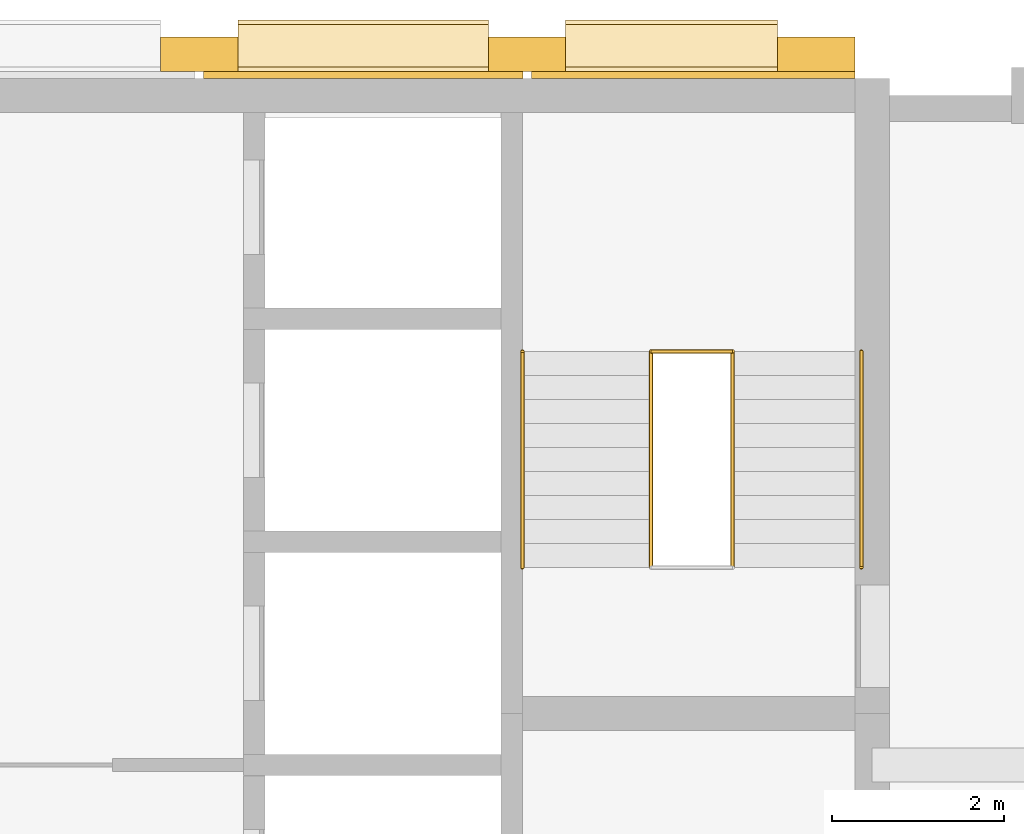
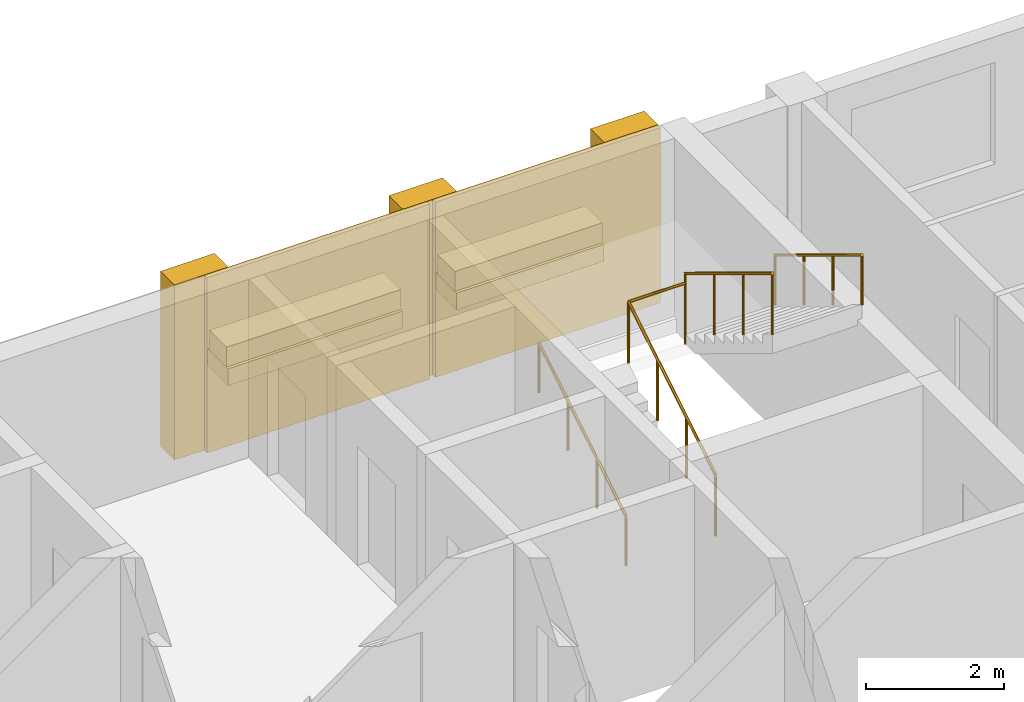
# One storey, part 12 of 13: 9 coverings, 5 railings, 1 element without a shape of its own.
"""IFC4 building model written with IfcOpenShell, lengths in metres."""

from ifc_helpers import new_model, si_unit, direction, frame, origin, origin_2d, place, context, subcontext, project, spatial, rectangle, circle, extrude, material, layer, layer_set, type_object, element, aggregate, save


model = new_model("IFC4")

# Units and contexts
model_context = context("Model", 3, precision=1e-05, world=origin(), true_north=direction((0.0, 1.0)))
body_context = subcontext(model_context, "Body", "Model", "MODEL_VIEW")
ifc_project = project(units=[si_unit("LENGTHUNIT", "METRE"), si_unit("AREAUNIT", "SQUARE_METRE"), si_unit("VOLUMEUNIT", "CUBIC_METRE"), si_unit("PLANEANGLEUNIT", "RADIAN"), si_unit("MASSUNIT", "GRAM", prefix="KILO")], contexts=[model_context])

# Site, building, storey
site_placement = place(None, origin())
site = spatial("IfcSite", under=ifc_project, at=site_placement, CompositionType="ELEMENT")
building_placement = place(site_placement, origin())
building = spatial("IfcBuilding", under=site, at=building_placement, Name="Ludao Terraces", CompositionType="ELEMENT")
storey_placement = place(building_placement, frame((0.0, 0.0, 259.60009765625)))
storey = spatial("IfcBuildingStorey", under=building, at=storey_placement, Name="L71", CompositionType="ELEMENT", Elevation=259.60009765625)

# Coverings
ifc_material_1 = material(Name="Granite cladding", Category="masonry")
ifc_layer_1 = layer(ifc_material_1, 0.39990234375)
ifc_layer_set_1 = layer_set([ifc_layer_1], Name="ENV Core pilaster stone 400")
covering_type_1 = type_object("IfcCoveringType", Name="ENV Core pilaster stone 400", PredefinedType="CLADDING", material=ifc_layer_set_1)
for number, where, z_axis, x_axis, name in (
    (1, (86.909912109375, 84.97998046875, -0.000244140625), (0.0, 0.0, 1.0), (1.0, 0.0, 0.0), "CC-L71-PIL4"),
    (2, (90.72998046875, 84.97998046875, -0.000244140625), (0.0, 0.0, 1.0), (1.0, 0.0, 0.0), "CC-L71-PIL5"),
    (3, (94.10009765625, 84.97998046875, -0.000244140625), (0.0, 0.0, 1.0), (1.0, 0.0, 0.0), "CC-L71-PIL6"),
):
    element("IfcCovering", number, at=place(storey_placement, frame(where, z_axis=z_axis, x_axis=x_axis)), inside=storey, type_object=covering_type_1, Name=name, PredefinedType="CLADDING", context=body_context, shape_type="SweptSolid", body=[
        extrude(rectangle(XDim=0.89990234375, YDim=0.39990234375, at=origin_2d()), origin(), (0.0, 0.0, 1.0), 3.10009765625),
    ])
ifc_layer_2 = layer(ifc_material_1, 0.60009765625)
ifc_layer_set_2 = layer_set([ifc_layer_2], Name="ENV Core planting shelf stone 600")
covering_type_2 = type_object("IfcCoveringType", Name="ENV Core planting shelf stone 600", PredefinedType="CLADDING", material=ifc_layer_set_2)
covering_1_placement = place(storey_placement, frame((88.820068359375, 85.080078125, 1.0), z_axis=(0.0, 0.0, 1.0), x_axis=(1.0, 0.0, 0.0)))
element("IfcCovering", 4, at=covering_1_placement, inside=storey, type_object=covering_type_2, Name="CC-L71-SHELF4", PredefinedType="CLADDING", context=body_context, shape_type="SweptSolid", body=[
    extrude(rectangle(XDim=2.919921875, YDim=0.60009765625, at=origin_2d()), origin(), (0.0, 0.0, 1.0), 0.300048828125),
])
covering_2_placement = place(storey_placement, frame((92.4150390625, 85.080078125, 1.0), z_axis=(0.0, 0.0, 1.0), x_axis=(1.0, 0.0, 0.0)))
element("IfcCovering", 5, at=covering_2_placement, inside=storey, type_object=covering_type_2, Name="CC-L71-SHELF5", PredefinedType="CLADDING", context=body_context, shape_type="SweptSolid", body=[
    extrude(rectangle(XDim=2.469970703125, YDim=0.60009765625, at=origin_2d()), origin(), (0.0, 0.0, 1.0), 0.300048828125),
])
ifc_layer_3 = layer(ifc_material_1, 0.080078125)
ifc_layer_set_3 = layer_set([ifc_layer_3], Name="ENV Core stone cladding panel 80")
covering_type_3 = type_object("IfcCoveringType", Name="ENV Core stone cladding panel 80", PredefinedType="CLADDING", material=ifc_layer_set_3)
covering_3_placement = place(storey_placement, frame((88.820068359375, 84.739990234375, -0.000244140625), z_axis=(0.0, 0.0, 1.0), x_axis=(1.0, 0.0, 0.0)))
element("IfcCovering", 6, at=covering_3_placement, inside=storey, type_object=covering_type_3, Name="CC-L71-CORE4", PredefinedType="CLADDING", context=body_context, shape_type="SweptSolid", body=[
    extrude(rectangle(XDim=3.719970703125, YDim=0.080078125, at=origin_2d()), origin(), (0.0, 0.0, 1.0), 3.10009765625),
])
covering_4_placement = place(storey_placement, frame((92.6650390625, 84.739990234375, -0.000244140625), z_axis=(0.0, 0.0, 1.0), x_axis=(1.0, 0.0, 0.0)))
element("IfcCovering", 7, at=covering_4_placement, inside=storey, type_object=covering_type_3, Name="CC-L71-CORE5", PredefinedType="CLADDING", context=body_context, shape_type="SweptSolid", body=[
    extrude(rectangle(XDim=3.77001953125, YDim=0.080078125, at=origin_2d()), origin(), (0.0, 0.0, 1.0), 3.10009765625),
])
ifc_material_2 = material(Name="Planting")
ifc_layer_4 = layer(ifc_material_2, 0.5)
ifc_layer_set_4 = layer_set([ifc_layer_4], Name="ENV Shelf planting bed 350")
covering_type_4 = type_object("IfcCoveringType", Name="ENV Shelf planting bed 350", PredefinedType="USERDEFINED", material=ifc_layer_set_4)
covering_5_placement = place(storey_placement, frame((88.820068359375, 85.080078125, 1.2998046875), z_axis=(0.0, 0.0, 1.0), x_axis=(1.0, 0.0, 0.0)))
element("IfcCovering", 8, at=covering_5_placement, inside=storey, type_object=covering_type_4, Name="Shelf planting bed L71 4", ObjectType="PLANTING", PredefinedType="USERDEFINED", context=body_context, shape_type="SweptSolid", body=[
    extrude(rectangle(XDim=2.919921875, YDim=0.5, at=origin_2d()), origin(), (0.0, 0.0, 1.0), 0.35009765625),
])
covering_6_placement = place(storey_placement, frame((92.4150390625, 85.080078125, 1.2998046875), z_axis=(0.0, 0.0, 1.0), x_axis=(1.0, 0.0, 0.0)))
element("IfcCovering", 9, at=covering_6_placement, inside=storey, type_object=covering_type_4, Name="Shelf planting bed L71 5", ObjectType="PLANTING", PredefinedType="USERDEFINED", context=body_context, shape_type="SweptSolid", body=[
    extrude(rectangle(XDim=2.469970703125, YDim=0.5, at=origin_2d()), origin(), (0.0, 0.0, 1.0), 0.35009765625),
])

# Stair, railings
ifc_material_3 = material(Name="Concrete C40", Category="concrete")
stair_type = type_object("IfcStairType", Name="INT Stair", PredefinedType="HALF_TURN_STAIR", material=ifc_material_3)
stair_placement = place(storey_placement, origin())
stair = element("IfcStair", 10, at=stair_placement, inside=storey, type_object=stair_type, Name="EXIT STAIR 2", PredefinedType="HALF_TURN_STAIR")
ifc_material_4 = material(Name="Stainless steel 304", Category="steel")
railing_type_1 = type_object("IfcRailingType", Name="INT Stair guard 1100", PredefinedType="GUARDRAIL", material=ifc_material_4)
railing_1_placement = place(storey_placement, frame((92.175048828125, 79.0, 0.169921875)))
railing_1 = element("IfcRailing", 11, at=railing_1_placement, type_object=railing_type_1, Name="ST-L71-S2-R1G", PredefinedType="GUARDRAIL", context=body_context, shape_type="SweptSolid", body=[
    extrude(circle(Radius=0.02392578125, at=origin_2d()), frame((0.0, 0.0, 1.076171875), z_axis=(0.0, 0.85478489116, 0.518982456201), x_axis=(-1.0, 0.0, 0.0)), (0.0, 0.0, 1.0), 2.9482421875),
    extrude(circle(Radius=0.02099609375, at=origin_2d()), origin(), (0.0, 0.0, 1.0), 1.052001953125),
    extrude(circle(Radius=0.02099609375, at=origin_2d()), frame((0.0, 0.840087890625, 0.510009765625)), (0.0, 0.0, 1.0), 1.052001953125),
    extrude(circle(Radius=0.02099609375, at=origin_2d()), frame((0.0, 1.679931640625, 1.02001953125)), (0.0, 0.0, 1.0), 1.052001953125),
    extrude(circle(Radius=0.02099609375, at=origin_2d()), frame((0.0, 2.52001953125, 1.530029296875)), (0.0, 0.0, 1.0), 1.052001953125),
])
railing_2_placement = place(storey_placement, frame((93.125, 81.52001953125, 1.869873046875)))
railing_2 = element("IfcRailing", 12, at=railing_2_placement, type_object=railing_type_1, Name="ST-L71-S2-R2G", PredefinedType="GUARDRAIL", context=body_context, shape_type="SweptSolid", body=[
    extrude(circle(Radius=0.02392578125, at=origin_2d()), frame((0.0, 0.0, 1.076171875), z_axis=(0.0, -0.85478489116, 0.518982456201), x_axis=(1.0, 0.0, 0.0)), (0.0, 0.0, 1.0), 2.9482421875),
    extrude(circle(Radius=0.02099609375, at=origin_2d()), origin(), (0.0, 0.0, 1.0), 1.052001953125),
    extrude(circle(Radius=0.02099609375, at=origin_2d()), frame((0.0, -0.840087890625, 0.510009765625)), (0.0, 0.0, 1.0), 1.052001953125),
    extrude(circle(Radius=0.02099609375, at=origin_2d()), frame((0.0, -1.679931640625, 1.02001953125)), (0.0, 0.0, 1.0), 1.052001953125),
    extrude(circle(Radius=0.02099609375, at=origin_2d()), frame((0.0, -2.52001953125, 1.530029296875)), (0.0, 0.0, 1.0), 1.052001953125),
])
railing_3_placement = place(storey_placement, frame((92.175048828125, 81.52001953125, 1.699951171875)))
railing_3 = element("IfcRailing", 13, at=railing_3_placement, type_object=railing_type_1, Name="ST-L71-S2-E1G", PredefinedType="GUARDRAIL", context=body_context, shape_type="SweptSolid", body=[
    extrude(circle(Radius=0.02392578125, at=origin_2d()), frame((0.0, 0.0, 1.076171875), z_axis=(1.0, 0.0, 0.0), x_axis=(0.0, 1.0, 0.0)), (0.0, 0.0, 1.0), 0.949951171875),
    extrude(circle(Radius=0.02099609375, at=origin_2d()), origin(), (0.0, 0.0, 1.0), 1.052001953125),
    extrude(circle(Radius=0.02099609375, at=origin_2d()), frame((0.949951171875, 0.0, 0.0)), (0.0, 0.0, 1.0), 1.052001953125),
])
railing_type_2 = type_object("IfcRailingType", Name="INT Stair handrail 900", PredefinedType="HANDRAIL", material=ifc_material_4)
railing_4_placement = place(storey_placement, frame((90.675048828125, 79.0, 0.169921875)))
railing_4 = element("IfcRailing", 14, at=railing_4_placement, type_object=railing_type_2, Name="ST-L71-S2-R1H", PredefinedType="HANDRAIL", context=body_context, shape_type="SweptSolid", body=[
    extrude(circle(Radius=0.02392578125, at=origin_2d()), frame((0.0, 0.0, 0.8759765625), z_axis=(0.0, 0.85478489116, 0.518982456201), x_axis=(-1.0, 0.0, 0.0)), (0.0, 0.0, 1.0), 2.9482421875),
    extrude(circle(Radius=0.02099609375, at=origin_2d()), origin(), (0.0, 0.0, 1.0), 0.851806640625),
    extrude(circle(Radius=0.02099609375, at=origin_2d()), frame((0.0, 0.840087890625, 0.510009765625)), (0.0, 0.0, 1.0), 0.851806640625),
    extrude(circle(Radius=0.02099609375, at=origin_2d()), frame((0.0, 1.679931640625, 1.02001953125)), (0.0, 0.0, 1.0), 0.851806640625),
    extrude(circle(Radius=0.02099609375, at=origin_2d()), frame((0.0, 2.52001953125, 1.530029296875)), (0.0, 0.0, 1.0), 0.851806640625),
])
railing_5_placement = place(storey_placement, frame((94.625, 81.52001953125, 1.869873046875)))
railing_5 = element("IfcRailing", 15, at=railing_5_placement, type_object=railing_type_2, Name="ST-L71-S2-R2H", PredefinedType="HANDRAIL", context=body_context, shape_type="SweptSolid", body=[
    extrude(circle(Radius=0.02392578125, at=origin_2d()), frame((0.0, 0.0, 0.8759765625), z_axis=(0.0, -0.85478489116, 0.518982456201), x_axis=(1.0, 0.0, 0.0)), (0.0, 0.0, 1.0), 2.9482421875),
    extrude(circle(Radius=0.02099609375, at=origin_2d()), origin(), (0.0, 0.0, 1.0), 0.851806640625),
    extrude(circle(Radius=0.02099609375, at=origin_2d()), frame((0.0, -0.840087890625, 0.510009765625)), (0.0, 0.0, 1.0), 0.851806640625),
    extrude(circle(Radius=0.02099609375, at=origin_2d()), frame((0.0, -1.679931640625, 1.02001953125)), (0.0, 0.0, 1.0), 0.851806640625),
    extrude(circle(Radius=0.02099609375, at=origin_2d()), frame((0.0, -2.52001953125, 1.530029296875)), (0.0, 0.0, 1.0), 0.851806640625),
])
aggregate(stair, [railing_1, railing_4, railing_2, railing_5, railing_3])

save(model, "model.ifc")
